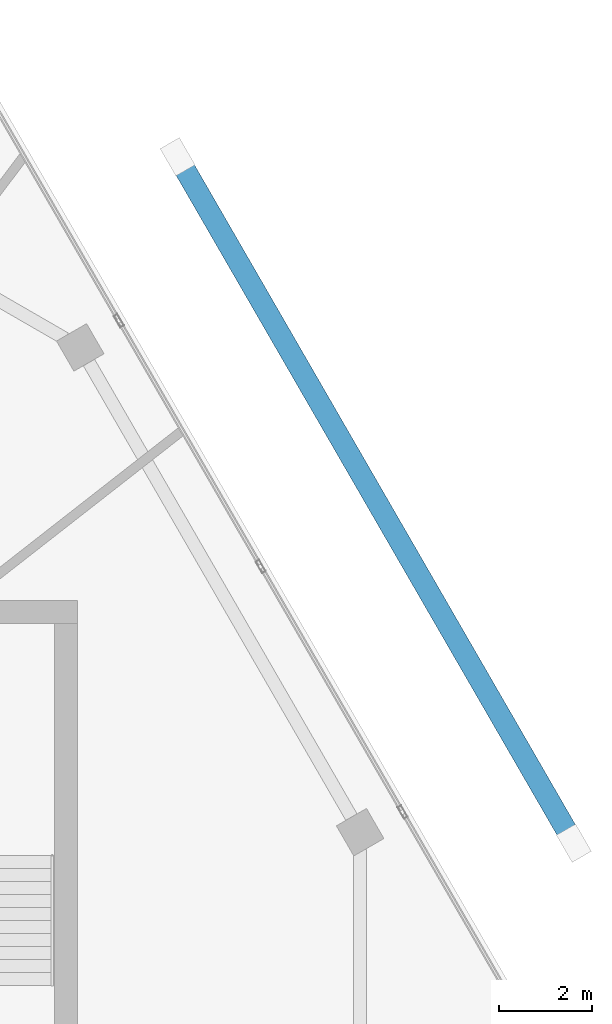
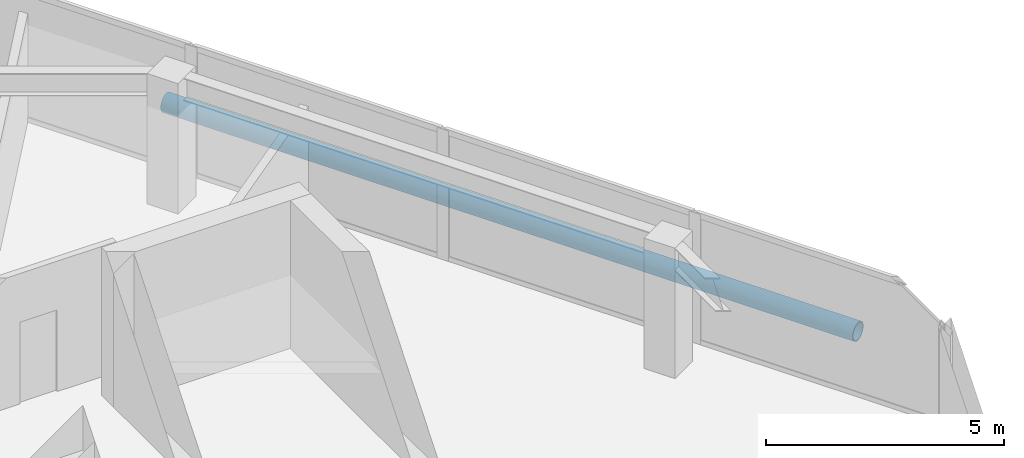
# One storey, part 13 of 22: 1 member.
"""IFC4 building model written with IfcOpenShell, lengths in metres."""

from ifc_helpers import new_model, si_unit, direction, frame, origin, origin_2d, place, context, subcontext, project, spatial, hollow_circle, extrude, material, material_profile, profile_set, type_object, element, save


model = new_model("IFC4")

# Units and contexts
model_context = context("Model", 3, precision=1e-05, world=origin(), true_north=direction((0.0, 1.0)))
body_context = subcontext(model_context, "Body", "Model", "MODEL_VIEW")
ifc_project = project(units=[si_unit("LENGTHUNIT", "METRE"), si_unit("AREAUNIT", "SQUARE_METRE"), si_unit("VOLUMEUNIT", "CUBIC_METRE"), si_unit("PLANEANGLEUNIT", "RADIAN"), si_unit("MASSUNIT", "GRAM", prefix="KILO")], contexts=[model_context])

# Site, building, storey
site_placement = place(None, origin())
site = spatial("IfcSite", under=ifc_project, at=site_placement, CompositionType="ELEMENT")
building_placement = place(site_placement, origin())
building = spatial("IfcBuilding", under=site, at=building_placement, Name="Zuhravey Tower", CompositionType="ELEMENT")
storey_placement = place(building_placement, frame((0.0, 0.0, 357.60009765625)))
storey = spatial("IfcBuildingStorey", under=building, at=storey_placement, Name="L91", CompositionType="ELEMENT", Elevation=357.60009765625)

# Member
ifc_material = material(Name="Steel SM355", Category="steel")
ifc_material_profile = material_profile(ifc_material, hollow_circle(Radius=0.228515625, WallThickness=0.02197265625, at=origin_2d()), Name="CHS-457.2x22")
ifc_profile_set = profile_set([ifc_material_profile], Name="Steel SM355")
member_type = type_object("IfcMemberType", Name="Exoskeleton Ring Tie CHS457x22", PredefinedType="CHORD", material=ifc_profile_set)
member_placement = place(storey_placement, frame((63.53466796875, 38.186767578125, -0.6640625), z_axis=(-0.500007681577, 0.866020968779, 0.0), x_axis=(-0.866020968779, -0.500007681577, 0.0)))
element("IfcMember", 1, at=member_placement, inside=storey, type_object=member_type, Name="L91 Exoskeleton Face 1 Tie EXR1", PredefinedType="CHORD", context=body_context, shape_type="SweptSolid", body=[
    extrude(hollow_circle(Radius=0.228515625, WallThickness=0.02197265625, at=origin_2d()), origin(), (0.0, 0.0, 1.0), 16.819091796875),
])

save(model, "model.ifc")
